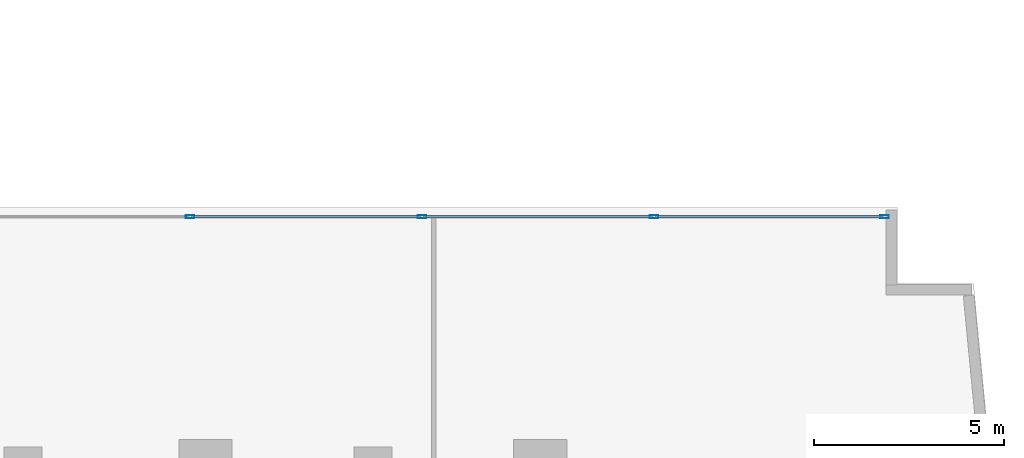
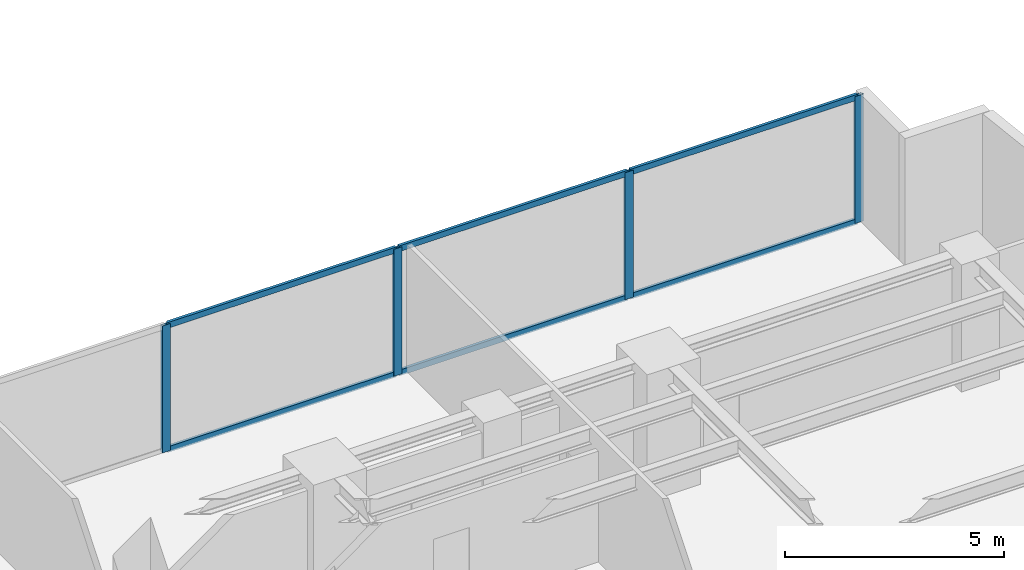
# One storey, part 14 of 28: 10 members, 1 element without a shape of its own.
"""IFC4 building model written with IfcOpenShell, lengths in metres."""

from ifc_helpers import new_model, si_unit, direction, frame, origin, origin_with_axes, origin_2d, place, context, subcontext, project, spatial, hollow_rectangle, extrude, source, transform, mapped, material, layer, layer_set, material_profile, profile_set, type_object, element, aggregate, save


model = new_model("IFC4")

# Units and contexts
model_context = context("Model", 3, precision=1e-05, world=origin(), true_north=direction((0.0, 1.0)))
body_context = subcontext(model_context, "Body", "Model", "MODEL_VIEW")
ifc_project = project(units=[si_unit("LENGTHUNIT", "METRE"), si_unit("AREAUNIT", "SQUARE_METRE"), si_unit("VOLUMEUNIT", "CUBIC_METRE"), si_unit("PLANEANGLEUNIT", "RADIAN"), si_unit("MASSUNIT", "GRAM", prefix="KILO")], contexts=[model_context])

# Site, building, storey
site_placement = place(None, origin())
site = spatial("IfcSite", under=ifc_project, at=site_placement, CompositionType="ELEMENT")
building_placement = place(site_placement, origin())
building = spatial("IfcBuilding", under=site, at=building_placement, Name="Kolvaren Waterfront Exchange", CompositionType="ELEMENT")
storey_placement = place(building_placement, frame((0.0, 0.0, 133.5)))
storey = spatial("IfcBuildingStorey", under=building, at=storey_placement, Name="L34", CompositionType="ELEMENT", Elevation=133.5)

# Curtain wall, members
ifc_material_1 = material(Name="Anodised bronze aluminium 6063-T6", Category="aluminium")
ifc_layer = layer(ifc_material_1, 0.219970703125, Name="Anodised bronze aluminium 6063-T6")
ifc_layer_set = layer_set([ifc_layer], Name="Anodised bronze aluminium 6063-T6")
curtain_wall_type = type_object("IfcCurtainWallType", Name="ARC-CW-SYS1", PredefinedType="USERDEFINED", material=ifc_layer_set)
curtain_wall_placement = place(storey_placement, origin())
curtain_wall = element("IfcCurtainWall", 1, at=curtain_wall_placement, inside=storey, type_object=curtain_wall_type, Name="L34 stick curtain wall CW1 (CW-L34-EN)", ObjectType="STICK CURTAIN WALL", PredefinedType="USERDEFINED")
ifc_material_2 = material(Name="Anodised aluminium 6063-T6", Category="aluminium")
ifc_material_profile_1 = material_profile(ifc_material_2, hollow_rectangle(XDim=0.080078125, YDim=0.219970703125, WallThickness=0.0048828125, at=origin_2d()), Name="ALU-MUL-220x80x5")
ifc_profile_set_1 = profile_set([ifc_material_profile_1], Name="Anodised aluminium 6063-T6")
member_type_1 = type_object("IfcMemberType", Name="ARC-CWM-220", PredefinedType="MULLION", material=ifc_profile_set_1)
shared_shape_1 = source(origin_with_axes(), body_context, "Body", "SweptSolid", [
    extrude(hollow_rectangle(XDim=0.080078125, YDim=0.219970703125, WallThickness=0.0048828125, at=origin_2d()), origin(), (0.0, 0.0, 1.0), 3.5400390625),
])
member_1_placement = place(storey_placement, frame((36.392578125, 23.9599609375, 0.0), z_axis=(0.0, 0.0, 1.0), x_axis=(0.0, 1.0, 0.0)))
member_1 = element("IfcMember", 2, at=member_1_placement, type_object=member_type_1, Name="CW1 mullion 2", PredefinedType="MULLION", context=body_context, shape_type="MappedRepresentation", body=[
    mapped(shared_shape_1, transform((0.0, 0.0, 0.0), x_axis=(1.0, 0.0, 0.0), y_axis=(0.0, 1.0, 0.0), z_axis=(0.0, 0.0, 1.0), scale=1.0)),
])
member_2_placement = place(storey_placement, frame((42.4951171875, 23.9599609375, 0.0), z_axis=(0.0, 0.0, 1.0), x_axis=(0.0, 1.0, 0.0)))
member_2 = element("IfcMember", 3, at=member_2_placement, type_object=member_type_1, Name="CW1 mullion 3", PredefinedType="MULLION", context=body_context, shape_type="MappedRepresentation", body=[
    mapped(shared_shape_1, transform((0.0, 0.0, 0.0), x_axis=(1.0, 0.0, 0.0), y_axis=(0.0, 1.0, 0.0), z_axis=(0.0, 0.0, 1.0), scale=1.0)),
])
member_3_placement = place(storey_placement, frame((48.597412109375, 23.9599609375, 0.0), z_axis=(0.0, 0.0, 1.0), x_axis=(0.0, 1.0, 0.0)))
member_3 = element("IfcMember", 4, at=member_3_placement, type_object=member_type_1, Name="CW1 mullion 4", PredefinedType="MULLION", context=body_context, shape_type="MappedRepresentation", body=[
    mapped(shared_shape_1, transform((0.0, 0.0, 0.0), x_axis=(1.0, 0.0, 0.0), y_axis=(0.0, 1.0, 0.0), z_axis=(0.0, 0.0, 1.0), scale=1.0)),
])
member_4_placement = place(storey_placement, frame((54.659912109375, 23.9599609375, 0.0), z_axis=(0.0, 0.0, 1.0), x_axis=(0.0, 1.0, 0.0)))
member_4 = element("IfcMember", 5, at=member_4_placement, type_object=member_type_1, Name="CW1 mullion 5", PredefinedType="MULLION", context=body_context, shape_type="MappedRepresentation", body=[
    mapped(shared_shape_1, transform((0.0, 0.0, 0.0), x_axis=(1.0, 0.0, 0.0), y_axis=(0.0, 1.0, 0.0), z_axis=(0.0, 0.0, 1.0), scale=1.0)),
])
ifc_material_profile_2 = material_profile(ifc_material_2, hollow_rectangle(XDim=0.074951171875, YDim=0.159912109375, WallThickness=0.00439453125, at=origin_2d()), Name="ALU-TRN-160x75x4.5")
ifc_profile_set_2 = profile_set([ifc_material_profile_2], Name="Anodised aluminium 6063-T6")
member_type_2 = type_object("IfcMemberType", Name="ARC-CWT-160", PredefinedType="USERDEFINED", material=ifc_profile_set_2)
shared_shape_2 = source(origin_with_axes(), body_context, "Body", "SweptSolid", [
    extrude(hollow_rectangle(XDim=0.074951171875, YDim=0.159912109375, WallThickness=0.00439453125, at=origin_2d()), origin(), (0.0, 0.0, 1.0), 6.0224609375),
])
member_5_placement = place(storey_placement, frame((36.4326171875, 23.9599609375, 0.03759765625), z_axis=(1.0, 0.0, 0.0), x_axis=(0.0, 1.0, 0.0)))
member_5 = element("IfcMember", 6, at=member_5_placement, type_object=member_type_2, Name="CW1 transom 2.1", ObjectType="TRANSOM", PredefinedType="USERDEFINED", context=body_context, shape_type="MappedRepresentation", body=[
    mapped(shared_shape_2, transform((0.0, 0.0, 0.0), x_axis=(1.0, 0.0, 0.0), y_axis=(0.0, 1.0, 0.0), z_axis=(0.0, 0.0, 1.0), scale=1.0)),
])
member_6_placement = place(storey_placement, frame((36.4326171875, 23.9599609375, 3.50244140625), z_axis=(1.0, 0.0, 0.0), x_axis=(0.0, 1.0, 0.0)))
member_6 = element("IfcMember", 7, at=member_6_placement, type_object=member_type_2, Name="CW1 transom 2.2", ObjectType="TRANSOM", PredefinedType="USERDEFINED", context=body_context, shape_type="MappedRepresentation", body=[
    mapped(shared_shape_2, transform((0.0, 0.0, 0.0), x_axis=(1.0, 0.0, 0.0), y_axis=(0.0, 1.0, 0.0), z_axis=(0.0, 0.0, 1.0), scale=1.0)),
])
shared_shape_3 = source(origin_with_axes(), body_context, "Body", "SweptSolid", [
    extrude(hollow_rectangle(XDim=0.074951171875, YDim=0.159912109375, WallThickness=0.00439453125, at=origin_2d()), origin(), (0.0, 0.0, 1.0), 6.022705078125),
])
member_7_placement = place(storey_placement, frame((42.534912109375, 23.9599609375, 0.03759765625), z_axis=(1.0, 0.0, 0.0), x_axis=(0.0, 1.0, 0.0)))
member_7 = element("IfcMember", 8, at=member_7_placement, type_object=member_type_2, Name="CW1 transom 3.1", ObjectType="TRANSOM", PredefinedType="USERDEFINED", context=body_context, shape_type="MappedRepresentation", body=[
    mapped(shared_shape_3, transform((0.0, 0.0, 0.0), x_axis=(1.0, 0.0, 0.0), y_axis=(0.0, 1.0, 0.0), z_axis=(0.0, 0.0, 1.0), scale=1.0)),
])
member_8_placement = place(storey_placement, frame((42.534912109375, 23.9599609375, 3.50244140625), z_axis=(1.0, 0.0, 0.0), x_axis=(0.0, 1.0, 0.0)))
member_8 = element("IfcMember", 9, at=member_8_placement, type_object=member_type_2, Name="CW1 transom 3.2", ObjectType="TRANSOM", PredefinedType="USERDEFINED", context=body_context, shape_type="MappedRepresentation", body=[
    mapped(shared_shape_3, transform((0.0, 0.0, 0.0), x_axis=(1.0, 0.0, 0.0), y_axis=(0.0, 1.0, 0.0), z_axis=(0.0, 0.0, 1.0), scale=1.0)),
])
shared_shape_4 = source(origin_with_axes(), body_context, "Body", "SweptSolid", [
    extrude(hollow_rectangle(XDim=0.074951171875, YDim=0.159912109375, WallThickness=0.00439453125, at=origin_2d()), origin(), (0.0, 0.0, 1.0), 5.982666015625),
])
member_9_placement = place(storey_placement, frame((48.637451171875, 23.9599609375, 0.03759765625), z_axis=(1.0, 0.0, 0.0), x_axis=(0.0, 1.0, 0.0)))
member_9 = element("IfcMember", 10, at=member_9_placement, type_object=member_type_2, Name="CW1 transom 4.1", ObjectType="TRANSOM", PredefinedType="USERDEFINED", context=body_context, shape_type="MappedRepresentation", body=[
    mapped(shared_shape_4, transform((0.0, 0.0, 0.0), x_axis=(1.0, 0.0, 0.0), y_axis=(0.0, 1.0, 0.0), z_axis=(0.0, 0.0, 1.0), scale=1.0)),
])
member_10_placement = place(storey_placement, frame((48.637451171875, 23.9599609375, 3.50244140625), z_axis=(1.0, 0.0, 0.0), x_axis=(0.0, 1.0, 0.0)))
member_10 = element("IfcMember", 11, at=member_10_placement, type_object=member_type_2, Name="CW1 transom 4.2", ObjectType="TRANSOM", PredefinedType="USERDEFINED", context=body_context, shape_type="MappedRepresentation", body=[
    mapped(shared_shape_4, transform((0.0, 0.0, 0.0), x_axis=(1.0, 0.0, 0.0), y_axis=(0.0, 1.0, 0.0), z_axis=(0.0, 0.0, 1.0), scale=1.0)),
])
aggregate(curtain_wall, [member_1, member_2, member_3, member_4, member_5, member_6, member_7, member_8, member_9, member_10])

save(model, "model.ifc")
